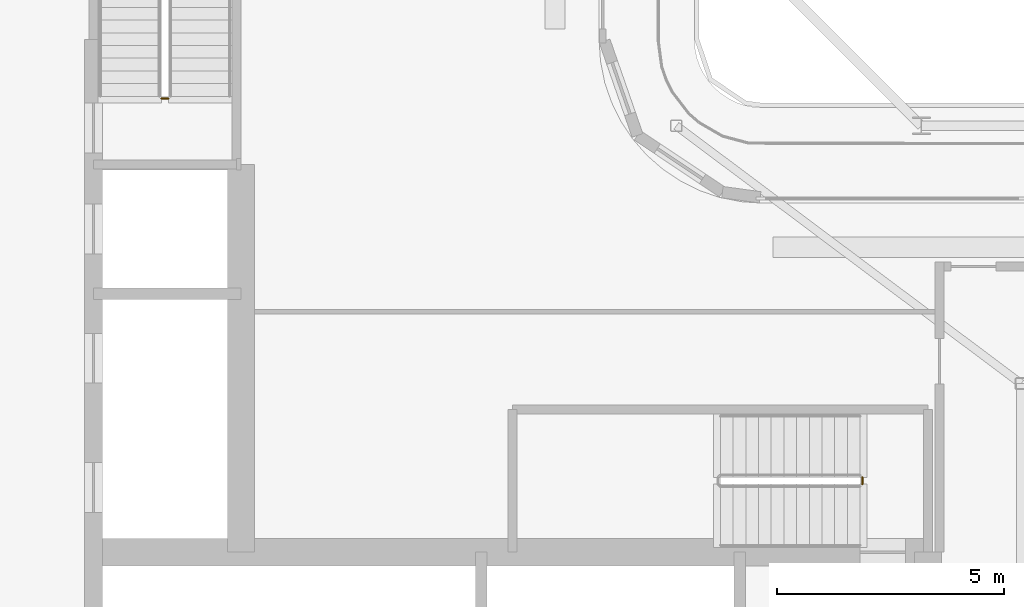
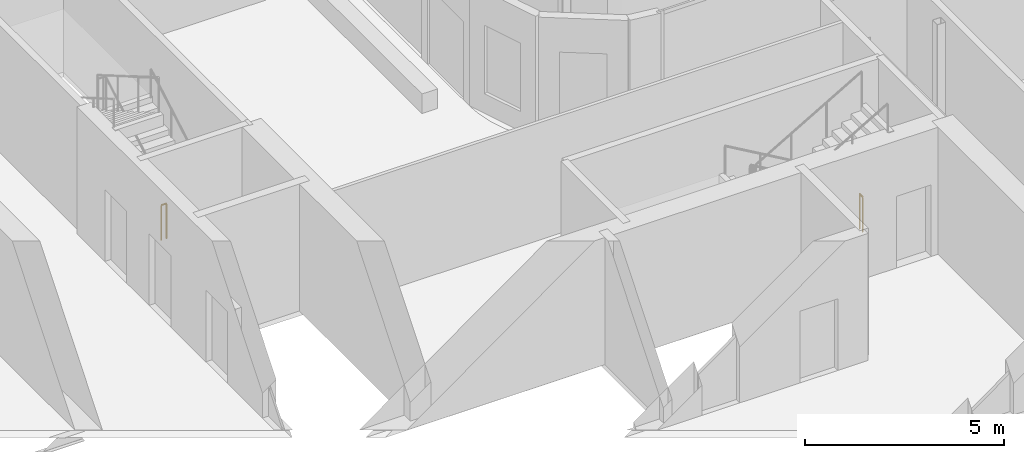
# One storey, part 17 of 21: 2 railings.
"""IFC4 building model written with IfcOpenShell, lengths in metres."""

from ifc_helpers import new_model, si_unit, direction, frame, origin, origin_2d, place, context, subcontext, project, spatial, circle, extrude, material, type_object, element, save


model = new_model("IFC4")

# Units and contexts
model_context = context("Model", 3, precision=1e-05, world=origin(), true_north=direction((0.0, 1.0)))
body_context = subcontext(model_context, "Body", "Model", "MODEL_VIEW")
ifc_project = project(units=[si_unit("LENGTHUNIT", "METRE"), si_unit("AREAUNIT", "SQUARE_METRE"), si_unit("VOLUMEUNIT", "CUBIC_METRE"), si_unit("PLANEANGLEUNIT", "RADIAN"), si_unit("MASSUNIT", "GRAM", prefix="KILO")], contexts=[model_context])

# Site, building, storey
site_placement = place(None, origin())
site = spatial("IfcSite", under=ifc_project, at=site_placement, CompositionType="ELEMENT")
building_placement = place(site_placement, origin())
building = spatial("IfcBuilding", under=site, at=building_placement, Name="Kheshtan School and Residences Tower", CompositionType="ELEMENT")
storey_placement = place(building_placement, frame((0.0, 0.0, 278.60009765625)))
storey = spatial("IfcBuildingStorey", under=building, at=storey_placement, Name="L65", CompositionType="ELEMENT", Elevation=278.60009765625)

# Railings
ifc_material = material(Name="Stainless steel balustrade", Category="steel")
railing_type = type_object("IfcRailingType", Name="Stair guard 1100", PredefinedType="GUARDRAIL", material=ifc_material)
railing_1_placement = place(storey_placement, frame((51.699951171875, 37.85009765625, 0.0)))
element("IfcRailing", 1, at=railing_1_placement, inside=storey, type_object=railing_type, Name="L65 ST1 stair guard 2", PredefinedType="GUARDRAIL", context=body_context, shape_type="SweptSolid", body=[
    extrude(circle(Radius=0.02392578125, at=origin_2d()), frame((0.0, 0.0, 1.076171875), z_axis=(0.0, -1.0, 0.0), x_axis=(1.0, 0.0, 0.0)), (0.0, 0.0, 1.0), 0.150146484375),
    extrude(circle(Radius=0.02099609375, at=origin_2d()), origin(), (0.0, 0.0, 1.0), 1.052001953125),
    extrude(circle(Radius=0.02099609375, at=origin_2d()), frame((0.0, -0.150146484375, 0.0)), (0.0, 0.0, 1.0), 1.052001953125),
])
railing_2_placement = place(storey_placement, frame((36.39990234375, 46.199951171875, 0.0)))
element("IfcRailing", 2, at=railing_2_placement, inside=storey, type_object=railing_type, Name="L65 ST2 stair guard 2", PredefinedType="GUARDRAIL", context=body_context, shape_type="SweptSolid", body=[
    extrude(circle(Radius=0.02392578125, at=origin_2d()), frame((0.0, 0.0, 1.076171875), z_axis=(-1.0, 0.0, 0.0), x_axis=(0.0, -1.0, 0.0)), (0.0, 0.0, 1.0), 0.14990234375),
    extrude(circle(Radius=0.02099609375, at=origin_2d()), origin(), (0.0, 0.0, 1.0), 1.052001953125),
    extrude(circle(Radius=0.02099609375, at=origin_2d()), frame((-0.14990234375, 0.0, 0.0)), (0.0, 0.0, 1.0), 1.052001953125),
])

save(model, "model.ifc")
